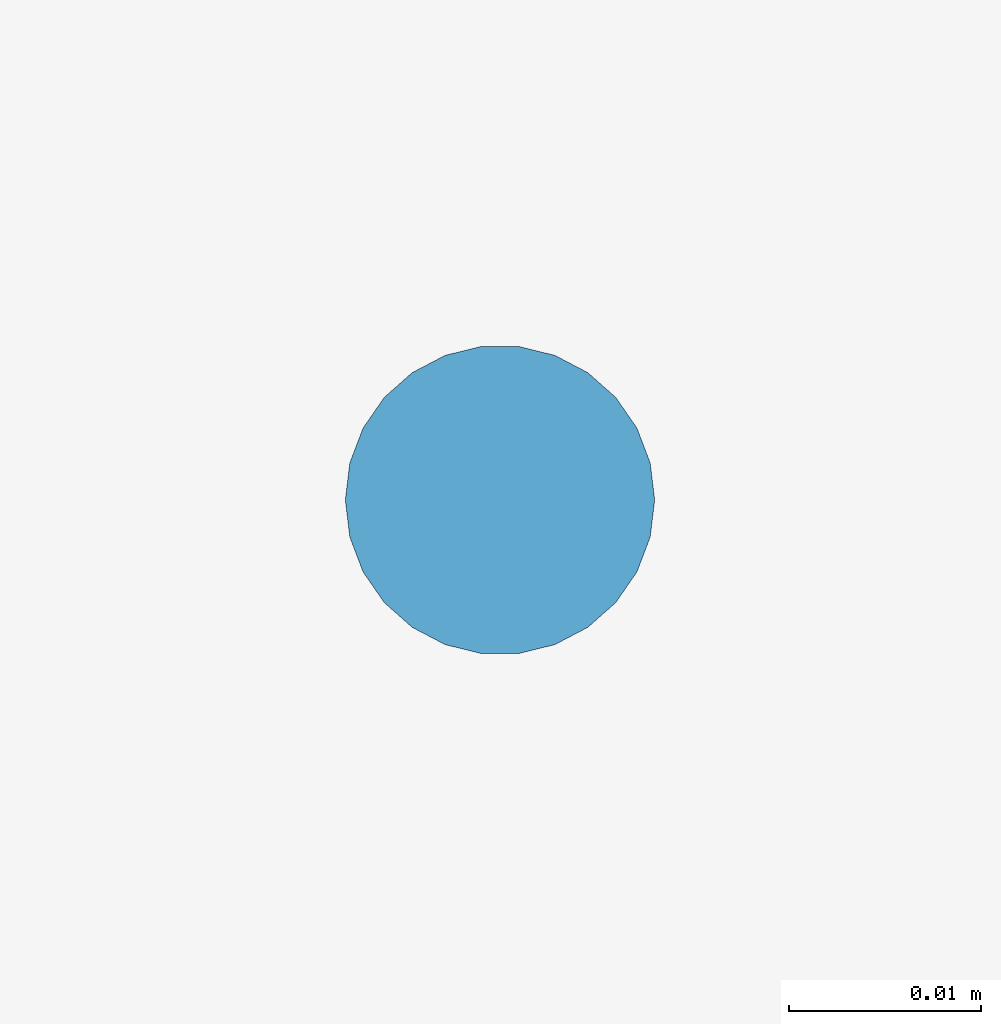
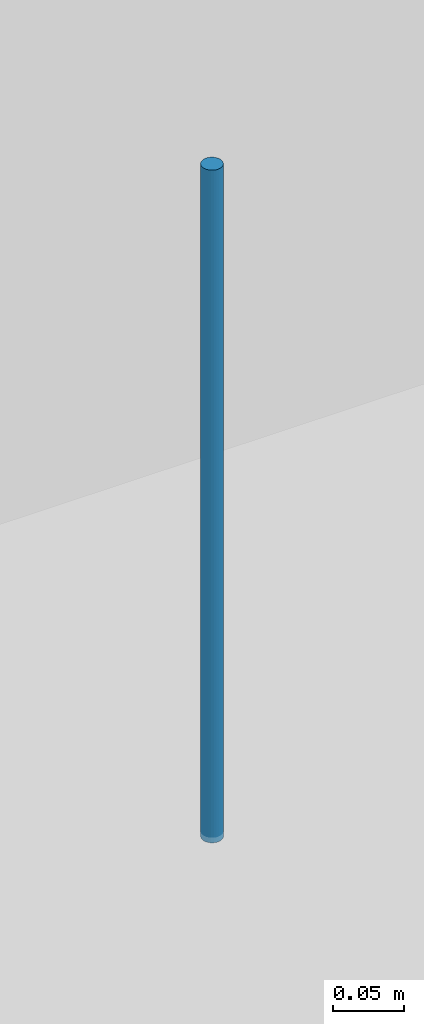
# One storey, part 18 of 22: 1 discrete accessory.
"""IFC4 building model written with IfcOpenShell, lengths in metres."""

from ifc_helpers import new_model, si_unit, direction, frame, origin, origin_2d, place, context, subcontext, project, spatial, circle, extrude, material, type_object, element, save


model = new_model("IFC4")

# Units and contexts
model_context = context("Model", 3, precision=1e-05, world=origin(), true_north=direction((0.0, 1.0)))
body_context = subcontext(model_context, "Body", "Model", "MODEL_VIEW")
ifc_project = project(units=[si_unit("LENGTHUNIT", "METRE"), si_unit("AREAUNIT", "SQUARE_METRE"), si_unit("VOLUMEUNIT", "CUBIC_METRE"), si_unit("PLANEANGLEUNIT", "RADIAN"), si_unit("MASSUNIT", "GRAM", prefix="KILO")], contexts=[model_context])

# Site, building, storey
site_placement = place(None, origin())
site = spatial("IfcSite", under=ifc_project, at=site_placement, CompositionType="ELEMENT")
building_placement = place(site_placement, origin())
building = spatial("IfcBuilding", under=site, at=building_placement, Name="Yukiwa Park Conservatory and Herbarium", CompositionType="ELEMENT")
storey_placement = place(building_placement, frame((0.0, 0.0, 35.39990234375)))
storey = spatial("IfcBuildingStorey", under=building, at=storey_placement, Name="L09", CompositionType="ELEMENT", Elevation=35.39990234375)

# Discrete accessory
ifc_material = material(Name="Steel Q235B", Category="steel")
discrete_accessory_type = type_object("IfcDiscreteAccessoryType", Name="ACC-CEILING-HANGER", PredefinedType="BRACKET", material=ifc_material)
discrete_accessory_placement = place(storey_placement, frame((151.199951171875, 91.39990234375, 2.675048828125), z_axis=(0.0, 0.0, 1.0), x_axis=(1.0, 0.0, 0.0)))
element("IfcDiscreteAccessory", 1, at=discrete_accessory_placement, inside=storey, type_object=discrete_accessory_type, Name="Ceiling suspension hanger rod 24", PredefinedType="BRACKET", context=body_context, shape_type="SweptSolid", body=[
    extrude(circle(Radius=0.008056640625, at=origin_2d()), origin(), (0.0, 0.0, 1.0), 0.578125),
])

save(model, "model.ifc")
